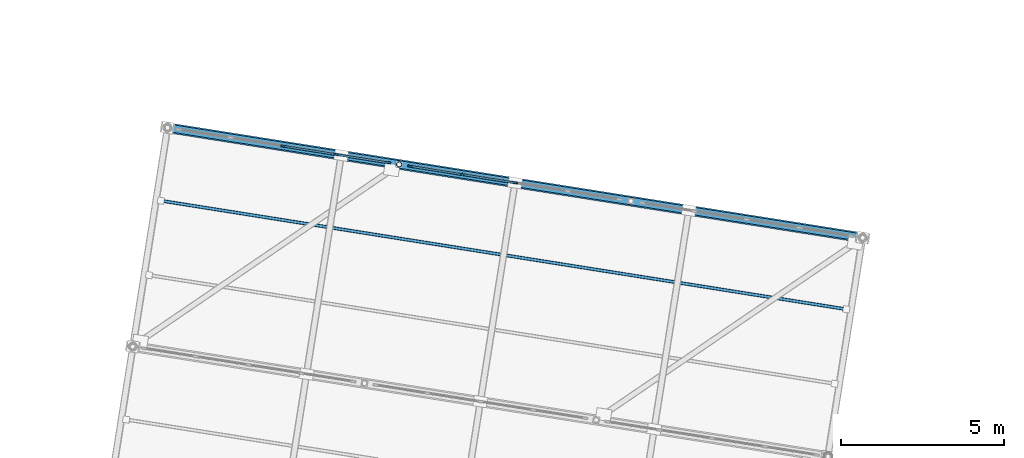
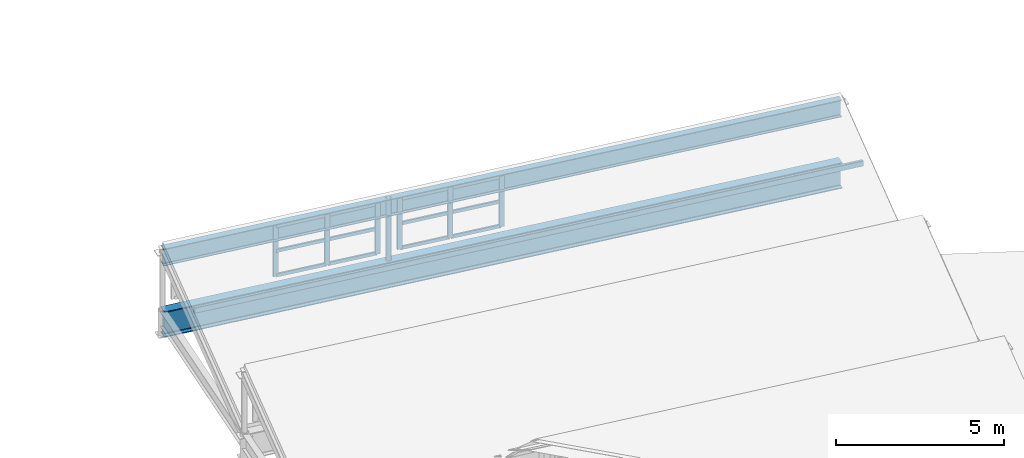
# One storey, part 47 of 65: 20 members, 2 beams, 2 elements without a shape of their own.
"""IFC4 building model written with IfcOpenShell, lengths in metres."""

from ifc_helpers import new_model, si_unit, direction, frame, origin, origin_2d, place, context, subcontext, project, spatial, rectangle, hollow_rectangle, hollow_circle, i_section, extrude, material, material_profile, profile_set, type_object, element, aggregate, save


model = new_model("IFC4")

# Units and contexts
model_context = context("Model", 3, precision=1e-05, world=origin(), true_north=direction((0.0, 1.0)))
body_context = subcontext(model_context, "Body", "Model", "MODEL_VIEW")
ifc_project = project(units=[si_unit("LENGTHUNIT", "METRE"), si_unit("AREAUNIT", "SQUARE_METRE"), si_unit("VOLUMEUNIT", "CUBIC_METRE"), si_unit("PLANEANGLEUNIT", "RADIAN"), si_unit("MASSUNIT", "GRAM", prefix="KILO")], contexts=[model_context])

# Site, building, storey
site_placement = place(None, origin())
site = spatial("IfcSite", under=ifc_project, at=site_placement, CompositionType="ELEMENT")
building_placement = place(site_placement, origin())
building = spatial("IfcBuilding", under=site, at=building_placement, Name="Cinderway Yard Community Centre", CompositionType="ELEMENT")
storey_placement = place(building_placement, frame((0.0, 0.0, 24.300048828125)))
storey = spatial("IfcBuildingStorey", under=building, at=storey_placement, Name="RF", CompositionType="ELEMENT", Elevation=24.300048828125)

# Curtain wall, members
ifc_material_1 = material(Name="Aluminium 6063-T6", Category="aluminium")
curtain_wall_type = type_object("IfcCurtainWallType", Name="ENV-CW-TYPE-23", PredefinedType="USERDEFINED", material=ifc_material_1)
curtain_wall_1_placement = place(storey_placement, origin())
curtain_wall_1 = element("IfcCurtainWall", 1, at=curtain_wall_1_placement, inside=storey, type_object=curtain_wall_type, Name="Sawtooth North-Light Clerestory ENV-CW-RF-ST-0087", ObjectType="GLAZED CURTAIN WALL", PredefinedType="USERDEFINED")
ifc_material_profile_1 = material_profile(ifc_material_1, rectangle(XDim=0.06005859375, YDim=0.159912109375, at=origin_2d()), Name="Aluminium 6063-T6")
ifc_profile_set_1 = profile_set([ifc_material_profile_1], Name="Aluminium 6063-T6")
member_type_1 = type_object("IfcMemberType", Name="ENV-CW-MULL-150", PredefinedType="MULLION", material=ifc_profile_set_1)
member_1_placement = place(storey_placement, frame((127.9384765625, 77.734619140625, -10.199951171875), z_axis=(0.0, 0.0, 1.0), x_axis=(0.156557479266, 0.987668849203, 0.0)))
member_1 = element("IfcMember", 2, at=member_1_placement, type_object=member_type_1, Name="CW-23 mullion 3", PredefinedType="MULLION", context=body_context, shape_type="SweptSolid", body=[
    extrude(rectangle(XDim=0.06005859375, YDim=0.159912109375, at=origin_2d()), origin(), (0.0, 0.0, 1.0), 1.849853515625),
])
member_2_placement = place(storey_placement, frame((129.558349609375, 77.477783203125, -10.199951171875), z_axis=(0.0, 0.0, 1.0), x_axis=(0.156557479266, 0.987668849203, 0.0)))
member_2 = element("IfcMember", 3, at=member_2_placement, type_object=member_type_1, Name="CW-23 mullion 4", PredefinedType="MULLION", context=body_context, shape_type="SweptSolid", body=[
    extrude(rectangle(XDim=0.06005859375, YDim=0.159912109375, at=origin_2d()), origin(), (0.0, 0.0, 1.0), 1.849853515625),
])
member_3_placement = place(storey_placement, frame((131.1484375, 77.2255859375, -10.199951171875), z_axis=(0.0, 0.0, 1.0), x_axis=(0.156557479266, 0.987668849203, 0.0)))
member_3 = element("IfcMember", 4, at=member_3_placement, type_object=member_type_1, Name="CW-23 mullion 5", PredefinedType="MULLION", context=body_context, shape_type="SweptSolid", body=[
    extrude(rectangle(XDim=0.06005859375, YDim=0.159912109375, at=origin_2d()), origin(), (0.0, 0.0, 1.0), 1.849853515625),
])

curtain_wall_2_placement = place(storey_placement, origin())
curtain_wall_2 = element("IfcCurtainWall", 5, at=curtain_wall_2_placement, inside=storey, type_object=curtain_wall_type, Name="Sawtooth North-Light Clerestory ENV-CW-RF-ST-0088", ObjectType="GLAZED CURTAIN WALL", PredefinedType="USERDEFINED")
member_4_placement = place(storey_placement, frame((131.839599609375, 77.1162109375, -10.199951171875), z_axis=(0.0, 0.0, 1.0), x_axis=(0.15640876877, 0.987692410142, 0.0)))
member_4 = element("IfcMember", 6, at=member_4_placement, type_object=member_type_1, Name="CW-23 mullion 1", PredefinedType="MULLION", context=body_context, shape_type="SweptSolid", body=[
    extrude(rectangle(XDim=0.06005859375, YDim=0.159912109375, at=origin_2d()), origin(), (0.0, 0.0, 1.0), 1.849853515625),
])
member_5_placement = place(storey_placement, frame((133.4296875, 76.864501953125, -10.199951171875), z_axis=(0.0, 0.0, 1.0), x_axis=(0.15640876877, 0.987692410142, 0.0)))
member_5 = element("IfcMember", 7, at=member_5_placement, type_object=member_type_1, Name="CW-23 mullion 2", PredefinedType="MULLION", context=body_context, shape_type="SweptSolid", body=[
    extrude(rectangle(XDim=0.06005859375, YDim=0.159912109375, at=origin_2d()), origin(), (0.0, 0.0, 1.0), 1.849853515625),
])
member_6_placement = place(storey_placement, frame((135.049560546875, 76.60791015625, -10.199951171875), z_axis=(0.0, 0.0, 1.0), x_axis=(0.15640876877, 0.987692410142, 0.0)))
member_6 = element("IfcMember", 8, at=member_6_placement, type_object=member_type_1, Name="CW-23 mullion 3", PredefinedType="MULLION", context=body_context, shape_type="SweptSolid", body=[
    extrude(rectangle(XDim=0.06005859375, YDim=0.159912109375, at=origin_2d()), origin(), (0.0, 0.0, 1.0), 1.849853515625),
])

# Member
ifc_material_profile_2 = material_profile(ifc_material_1, rectangle(XDim=0.06005859375, YDim=0.1201171875, at=origin_2d()), Name="Aluminium 6063-T6")
ifc_profile_set_2 = profile_set([ifc_material_profile_2], Name="Aluminium 6063-T6")
member_type_2 = type_object("IfcMemberType", Name="ENV-CW-TRAN-110", PredefinedType="USERDEFINED", material=ifc_profile_set_2)
member_7_placement = place(storey_placement, frame((127.968017578125, 77.729736328125, -10.170166015625), z_axis=(0.98767385289, -0.156525909414, 0.0), x_axis=(0.156525909414, 0.98767385289, 0.0)))
member_7 = element("IfcMember", 9, at=member_7_placement, type_object=member_type_2, Name="CW-23 transom 3.1", ObjectType="TRANSOM", PredefinedType="USERDEFINED", context=body_context, shape_type="SweptSolid", body=[
    extrude(rectangle(XDim=0.06005859375, YDim=0.1201171875, at=origin_2d()), origin(), (0.0, 0.0, 1.0), 1.580078125),
])

member_8_placement = place(storey_placement, frame((127.968017578125, 77.729736328125, -9.280029296875), z_axis=(0.98767385289, -0.156525909414, 0.0), x_axis=(0.156525909414, 0.98767385289, 0.0)))
member_8 = element("IfcMember", 10, at=member_8_placement, type_object=member_type_2, Name="CW-23 transom 3.2", ObjectType="TRANSOM", PredefinedType="USERDEFINED", context=body_context, shape_type="SweptSolid", body=[
    extrude(rectangle(XDim=0.06005859375, YDim=0.1201171875, at=origin_2d()), origin(), (0.0, 0.0, 1.0), 1.580078125),
])

member_9_placement = place(storey_placement, frame((127.968017578125, 77.729736328125, -8.380126953125), z_axis=(0.98767385289, -0.156525909414, 0.0), x_axis=(0.156525909414, 0.98767385289, 0.0)))
member_9 = element("IfcMember", 11, at=member_9_placement, type_object=member_type_2, Name="CW-23 transom 3.3", ObjectType="TRANSOM", PredefinedType="USERDEFINED", context=body_context, shape_type="SweptSolid", body=[
    extrude(rectangle(XDim=0.06005859375, YDim=0.1201171875, at=origin_2d()), origin(), (0.0, 0.0, 1.0), 1.580078125),
])

member_10_placement = place(storey_placement, frame((129.587890625, 77.47314453125, -10.170166015625), z_axis=(0.987665706138, -0.156577306523, 0.0), x_axis=(0.156577306523, 0.987665706138, 0.0)))
member_10 = element("IfcMember", 12, at=member_10_placement, type_object=member_type_2, Name="CW-23 transom 4.1", ObjectType="TRANSOM", PredefinedType="USERDEFINED", context=body_context, shape_type="SweptSolid", body=[
    extrude(rectangle(XDim=0.06005859375, YDim=0.1201171875, at=origin_2d()), origin(), (0.0, 0.0, 1.0), 1.5498046875),
])

member_11_placement = place(storey_placement, frame((129.587890625, 77.47314453125, -9.280029296875), z_axis=(0.987665706138, -0.156577306523, 0.0), x_axis=(0.156577306523, 0.987665706138, 0.0)))
member_11 = element("IfcMember", 13, at=member_11_placement, type_object=member_type_2, Name="CW-23 transom 4.2", ObjectType="TRANSOM", PredefinedType="USERDEFINED", context=body_context, shape_type="SweptSolid", body=[
    extrude(rectangle(XDim=0.06005859375, YDim=0.1201171875, at=origin_2d()), origin(), (0.0, 0.0, 1.0), 1.5498046875),
])

member_12_placement = place(storey_placement, frame((129.587890625, 77.47314453125, -8.380126953125), z_axis=(0.987665706138, -0.156577306523, 0.0), x_axis=(0.156577306523, 0.987665706138, 0.0)))
member_12 = element("IfcMember", 14, at=member_12_placement, type_object=member_type_2, Name="CW-23 transom 4.3", ObjectType="TRANSOM", PredefinedType="USERDEFINED", context=body_context, shape_type="SweptSolid", body=[
    extrude(rectangle(XDim=0.06005859375, YDim=0.1201171875, at=origin_2d()), origin(), (0.0, 0.0, 1.0), 1.5498046875),
])

aggregate(curtain_wall_1, [member_1, member_2, member_3, member_7, member_8, member_9, member_10, member_11, member_12])

member_13_placement = place(storey_placement, frame((131.869140625, 77.111572265625, -10.170166015625), z_axis=(0.987693908517, -0.156399306515, 0.0), x_axis=(0.156399306515, 0.987693908517, 0.0)))
member_13 = element("IfcMember", 15, at=member_13_placement, type_object=member_type_2, Name="CW-23 transom 1.1", ObjectType="TRANSOM", PredefinedType="USERDEFINED", context=body_context, shape_type="SweptSolid", body=[
    extrude(rectangle(XDim=0.06005859375, YDim=0.1201171875, at=origin_2d()), origin(), (0.0, 0.0, 1.0), 1.550048828125),
])

member_14_placement = place(storey_placement, frame((131.869140625, 77.111572265625, -9.280029296875), z_axis=(0.987693908517, -0.156399306515, 0.0), x_axis=(0.156399306515, 0.987693908517, 0.0)))
member_14 = element("IfcMember", 16, at=member_14_placement, type_object=member_type_2, Name="CW-23 transom 1.2", ObjectType="TRANSOM", PredefinedType="USERDEFINED", context=body_context, shape_type="SweptSolid", body=[
    extrude(rectangle(XDim=0.06005859375, YDim=0.1201171875, at=origin_2d()), origin(), (0.0, 0.0, 1.0), 1.550048828125),
])

member_15_placement = place(storey_placement, frame((131.869140625, 77.111572265625, -8.380126953125), z_axis=(0.987693908517, -0.156399306515, 0.0), x_axis=(0.156399306515, 0.987693908517, 0.0)))
member_15 = element("IfcMember", 17, at=member_15_placement, type_object=member_type_2, Name="CW-23 transom 1.3", ObjectType="TRANSOM", PredefinedType="USERDEFINED", context=body_context, shape_type="SweptSolid", body=[
    extrude(rectangle(XDim=0.06005859375, YDim=0.1201171875, at=origin_2d()), origin(), (0.0, 0.0, 1.0), 1.550048828125),
])

member_16_placement = place(storey_placement, frame((133.45947265625, 76.85986328125, -10.170166015625), z_axis=(0.987693950393, -0.156399042059, 0.0), x_axis=(0.156399042059, 0.987693950393, 0.0)))
member_16 = element("IfcMember", 18, at=member_16_placement, type_object=member_type_2, Name="CW-23 transom 2.1", ObjectType="TRANSOM", PredefinedType="USERDEFINED", context=body_context, shape_type="SweptSolid", body=[
    extrude(rectangle(XDim=0.06005859375, YDim=0.1201171875, at=origin_2d()), origin(), (0.0, 0.0, 1.0), 1.579833984375),
])

member_17_placement = place(storey_placement, frame((133.45947265625, 76.85986328125, -9.280029296875), z_axis=(0.987693950393, -0.156399042059, 0.0), x_axis=(0.156399042059, 0.987693950393, 0.0)))
member_17 = element("IfcMember", 19, at=member_17_placement, type_object=member_type_2, Name="CW-23 transom 2.2", ObjectType="TRANSOM", PredefinedType="USERDEFINED", context=body_context, shape_type="SweptSolid", body=[
    extrude(rectangle(XDim=0.06005859375, YDim=0.1201171875, at=origin_2d()), origin(), (0.0, 0.0, 1.0), 1.579833984375),
])

member_18_placement = place(storey_placement, frame((133.45947265625, 76.85986328125, -8.380126953125), z_axis=(0.987693950393, -0.156399042059, 0.0), x_axis=(0.156399042059, 0.987693950393, 0.0)))
member_18 = element("IfcMember", 20, at=member_18_placement, type_object=member_type_2, Name="CW-23 transom 2.3", ObjectType="TRANSOM", PredefinedType="USERDEFINED", context=body_context, shape_type="SweptSolid", body=[
    extrude(rectangle(XDim=0.06005859375, YDim=0.1201171875, at=origin_2d()), origin(), (0.0, 0.0, 1.0), 1.579833984375),
])

aggregate(curtain_wall_2, [member_4, member_5, member_6, member_13, member_14, member_15, member_16, member_17, member_18])

# Beams
ifc_material_2 = material(Name="Steel S355", Category="steel")
ifc_material_profile_3 = material_profile(ifc_material_2, i_section(OverallWidth=0.22998046875, OverallDepth=0.616943359375, WebThickness=0.011962890625, FlangeThickness=0.01953125, FilletRadius=0.01611328125, at=origin_2d()), Name="Steel S355")
ifc_profile_set_3 = profile_set([ifc_material_profile_3], Name="Steel S355")
beam_type_1 = type_object("IfcBeamType", Name="STR-BM-W610X140", PredefinedType="BEAM", material=ifc_profile_set_3)
beam_1_placement = place(storey_placement, frame((124.383056640625, 78.298095703125, -8.55810546875), z_axis=(0.987687058599, -0.156442559028, 0.0), x_axis=(0.156442559028, 0.987687058599, 0.0)))
element("IfcBeam", 21, at=beam_1_placement, inside=storey, type_object=beam_type_1, Name="Sawtooth apex girder STR-BM-RF-SB05-1027", PredefinedType="BEAM", context=body_context, shape_type="SweptSolid", body=[
    extrude(i_section(OverallWidth=0.22998046875, OverallDepth=0.616943359375, WebThickness=0.011962890625, FlangeThickness=0.01953125, FilletRadius=0.01611328125, at=origin_2d()), origin(), (0.0, 0.0, 1.0), 21.599853515625),
])
ifc_material_profile_4 = material_profile(ifc_material_2, i_section(OverallWidth=0.30908203125, OverallDepth=0.931884765625, WebThickness=0.017333984375, FlangeThickness=0.030029296875, FilletRadius=0.02392578125, at=origin_2d()), Name="Steel S355")
ifc_profile_set_4 = profile_set([ifc_material_profile_4], Name="Steel S355")
beam_type_2 = type_object("IfcBeamType", Name="STR-BM-W920X313", PredefinedType="BEAM", material=ifc_profile_set_4)
beam_2_placement = place(storey_placement, frame((124.383056640625, 78.298095703125, -10.966064453125), z_axis=(0.987687058599, -0.156442559028, 0.0), x_axis=(0.156442559028, 0.987687058599, 0.0)))
element("IfcBeam", 22, at=beam_2_placement, inside=storey, type_object=beam_type_2, Name="Sports Hall clear-span girder 07", PredefinedType="BEAM", context=body_context, shape_type="SweptSolid", body=[
    extrude(i_section(OverallWidth=0.30908203125, OverallDepth=0.931884765625, WebThickness=0.017333984375, FlangeThickness=0.030029296875, FilletRadius=0.02392578125, at=origin_2d()), origin(), (0.0, 0.0, 1.0), 21.599853515625),
])

# Members
ifc_material_profile_5 = material_profile(ifc_material_2, hollow_rectangle(XDim=0.10009765625, YDim=0.199951171875, WallThickness=0.008056640625, InnerFilletRadius=0.008056640625, OuterFilletRadius=0.01611328125, at=origin_2d()), Name="Steel S355")
ifc_profile_set_5 = profile_set([ifc_material_profile_5], Name="Steel S355")
member_type_3 = type_object("IfcMemberType", Name="STR-MEM-PURLIN-200", PredefinedType="PURLIN", material=ifc_profile_set_5)
member_19_placement = place(storey_placement, frame((124.179931640625, 76.05810546875, -9.095947265625), z_axis=(0.987687756952, -0.156438149973, 0.0), x_axis=(0.156438149973, 0.987687756952, 0.0)))
element("IfcMember", 23, at=member_19_placement, inside=storey, type_object=member_type_3, Name="Sawtooth roof purlin B6-67", PredefinedType="PURLIN", context=body_context, shape_type="SweptSolid", body=[
    extrude(hollow_rectangle(XDim=0.10009765625, YDim=0.199951171875, WallThickness=0.008056640625, InnerFilletRadius=0.008056640625, OuterFilletRadius=0.01611328125, at=origin_2d()), origin(), (0.0, 0.0, 1.0), 21.29931640625),
])
ifc_material_profile_6 = material_profile(ifc_material_2, hollow_circle(Radius=0.084228515625, WallThickness=0.008056640625, at=origin_2d()), Name="Steel S355")
ifc_profile_set_6 = profile_set([ifc_material_profile_6], Name="Steel S355")
member_type_4 = type_object("IfcMemberType", Name="STR-MEM-STRUT-CHS168", PredefinedType="STRUT", material=ifc_profile_set_6)
member_20_placement = place(storey_placement, frame((131.493896484375, 77.1708984375, -10.5), z_axis=(0.0, 0.0, 1.0), x_axis=(1.0, 0.0, 0.0)))
element("IfcMember", 24, at=member_20_placement, inside=storey, type_object=member_type_4, Name="Sawtooth kingpost B6-072", PredefinedType="STRUT", context=body_context, shape_type="SweptSolid", body=[
    extrude(hollow_circle(Radius=0.084228515625, WallThickness=0.008056640625, at=origin_2d()), origin(), (0.0, 0.0, 1.0), 2.25),
])

save(model, "model.ifc")
